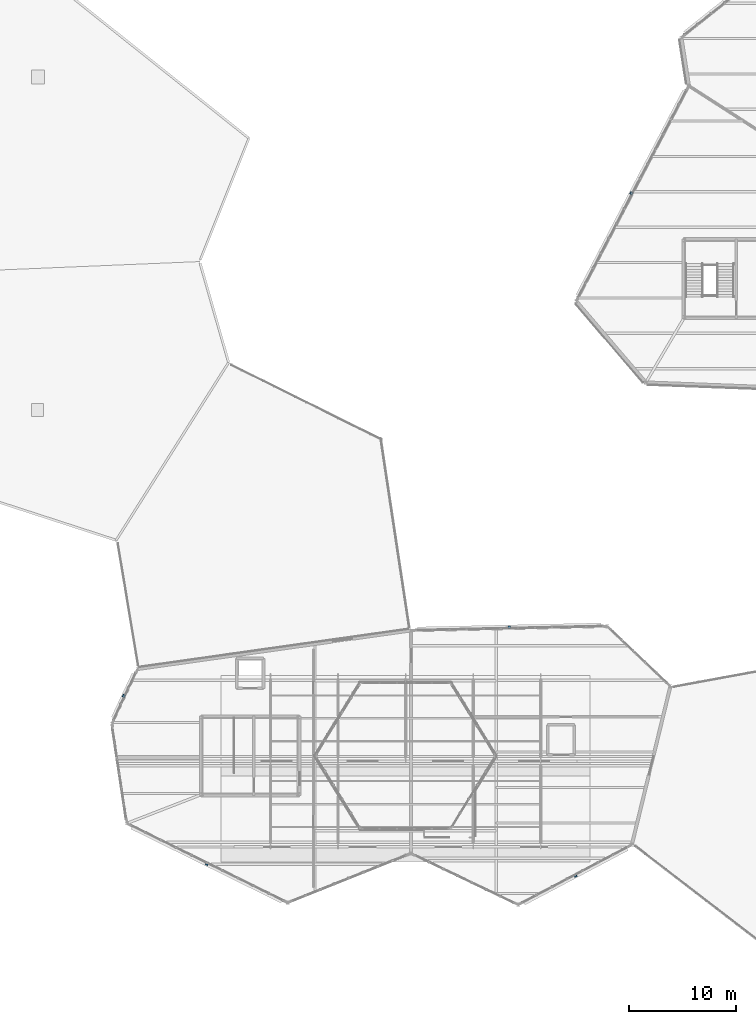
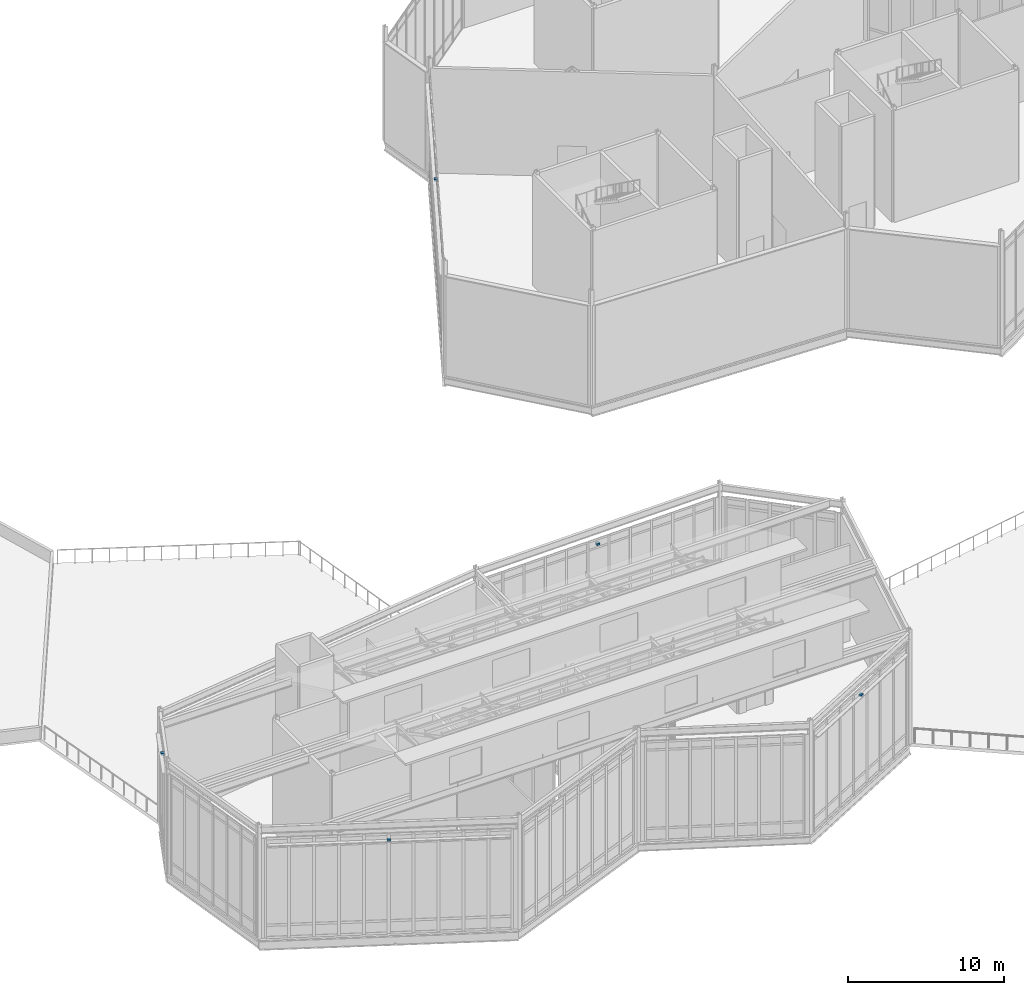
# One storey, part 62 of 66: 5 discrete accessories.
"""IFC4 building model written with IfcOpenShell, lengths in metres."""

from ifc_helpers import new_model, si_unit, direction, frame, origin, origin_2d, place, context, subcontext, project, spatial, rectangle, extrude, material, type_object, element, save


model = new_model("IFC4")

# Units and contexts
model_context = context("Model", 3, precision=1e-05, world=origin(), true_north=direction((0.0, 1.0)))
body_context = subcontext(model_context, "Body", "Model", "MODEL_VIEW")
ifc_project = project(units=[si_unit("LENGTHUNIT", "METRE"), si_unit("AREAUNIT", "SQUARE_METRE"), si_unit("VOLUMEUNIT", "CUBIC_METRE"), si_unit("PLANEANGLEUNIT", "RADIAN"), si_unit("MASSUNIT", "GRAM", prefix="KILO")], contexts=[model_context])

# Site, building, storey
site_placement = place(None, origin())
site = spatial("IfcSite", under=ifc_project, at=site_placement, CompositionType="ELEMENT")
building_placement = place(site_placement, origin())
building = spatial("IfcBuilding", under=site, at=building_placement, Name="Tameran Prism Museum", CompositionType="ELEMENT")
storey_placement = place(building_placement, frame((0.0, 0.0, 19.800048828125)))
storey = spatial("IfcBuildingStorey", under=building, at=storey_placement, Name="L04", CompositionType="ELEMENT", Elevation=19.800048828125)

# Discrete accessories
ifc_material = material(Name="Galvanized Steel Grade 350 (350 MPa)", Category="steel")
discrete_accessory_type = type_object("IfcDiscreteAccessoryType", Name="DA-BRK-STL", PredefinedType="BRACKET", material=ifc_material)
for number, where, z_axis, x_axis, name in (
    (1, (98.06494140625, 88.9599609375, 7.2900390625), (0.0, 0.0, 1.0), (0.462986663495, 0.886365246062, 0.0), "Facade Sunshade Bracket BK-066"),
    (2, (58.465087890625, 26.427978515625, 7.2900390625), (0.0, 0.0, 1.0), (-0.896795533934, 0.442445217305, 0.0), "Facade Sunshade Bracket BK-069"),
    (3, (50.72802734375, 42.083984375, 7.2900390625), (0.0, 0.0, 1.0), (0.425779291565, 0.904827052466, 0.0), "Facade Sunshade Bracket BK-070"),
    (4, (92.8369140625, 25.3291015625, 7.2900390625), (0.0, 0.0, 1.0), (-0.88417363932, -0.467158405181, 0.0), "Facade Sunshade Bracket BK-071"),
    (5, (86.677978515625, 48.48095703125, 7.2900390625), (0.0, 0.0, 1.0), (0.99976202708, 0.021814885035, 0.0), "Facade Sunshade Bracket BK-072"),
):
    element("IfcDiscreteAccessory", number, at=place(storey_placement, frame(where, z_axis=z_axis, x_axis=x_axis)), inside=storey, type_object=discrete_accessory_type, Name=name, PredefinedType="BRACKET", context=body_context, shape_type="SweptSolid", body=[
        extrude(rectangle(XDim=0.239990234375, YDim=0.239990234375, at=origin_2d()), origin(), (0.0, 0.0, 1.0), 0.159912109375),
    ])

save(model, "model.ifc")
